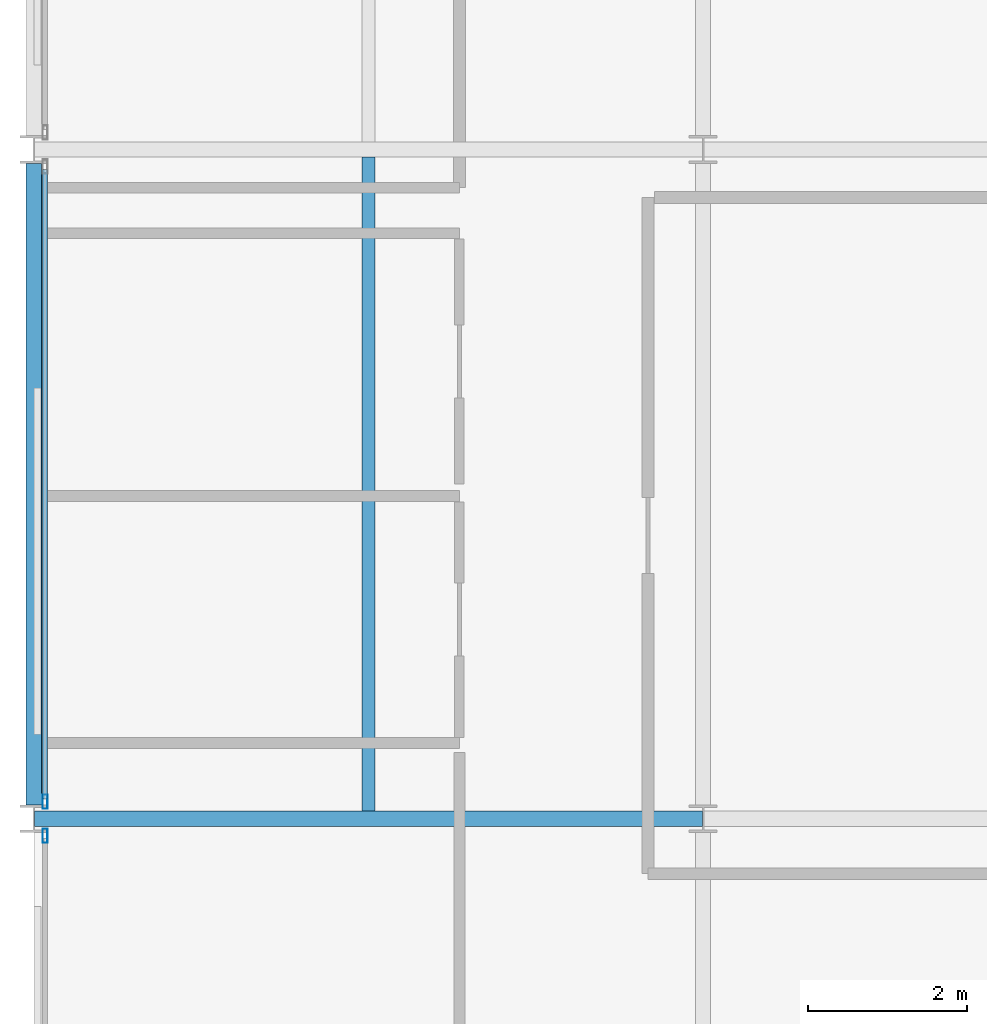
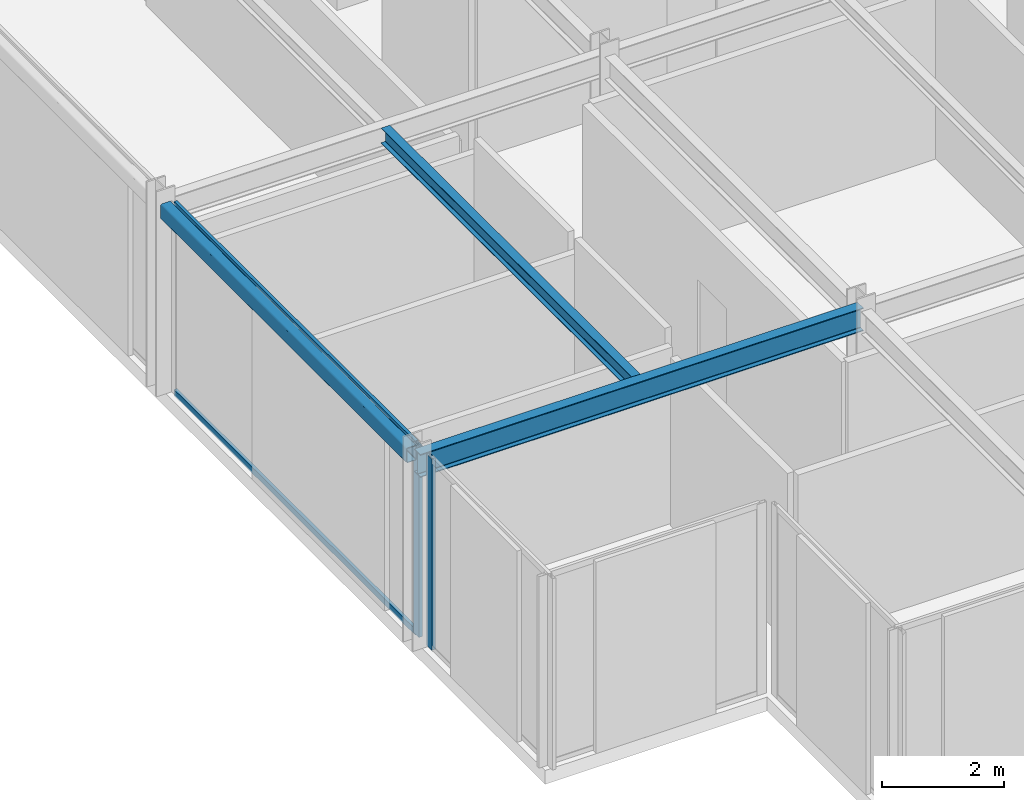
# One storey, part 4 of 25: 4 members, 3 beams, 2 elements without a shape of their own.
"""IFC4 building model written with IfcOpenShell, lengths in metres."""

from ifc_helpers import new_model, si_unit, direction, frame, origin, origin_2d, place, context, subcontext, project, spatial, hollow_rectangle, i_section, extrude, material, layer, layer_set, material_profile, profile_set, type_object, element, aggregate, save


model = new_model("IFC4")

# Units and contexts
model_context = context("Model", 3, precision=1e-05, world=origin(), true_north=direction((0.0, 1.0)))
body_context = subcontext(model_context, "Body", "Model", "MODEL_VIEW")
ifc_project = project(units=[si_unit("LENGTHUNIT", "METRE"), si_unit("AREAUNIT", "SQUARE_METRE"), si_unit("VOLUMEUNIT", "CUBIC_METRE"), si_unit("PLANEANGLEUNIT", "RADIAN"), si_unit("MASSUNIT", "GRAM", prefix="KILO")], contexts=[model_context])

# Site, building, storey
site_placement = place(None, origin())
site = spatial("IfcSite", under=ifc_project, at=site_placement, CompositionType="ELEMENT")
building_placement = place(site_placement, origin())
building = spatial("IfcBuilding", under=site, at=building_placement, Name="Nerrivon Quay Data Exchange", CompositionType="ELEMENT")
storey_placement = place(building_placement, frame((0.0, 0.0, 232.89990234375)))
storey = spatial("IfcBuildingStorey", under=building, at=storey_placement, Name="L55", CompositionType="ELEMENT", Elevation=232.89990234375)

# Beams
ifc_material_1 = material(Name="Steel Grade 350", Category="steel")
ifc_material_profile_1 = material_profile(ifc_material_1, i_section(OverallWidth=0.19091796875, OverallDepth=0.4599609375, WebThickness=0.010009765625, FlangeThickness=0.01611328125, FilletRadius=0.011474609375, at=origin_2d()), Name="460UB82.1")
ifc_profile_set_1 = profile_set([ifc_material_profile_1], Name="Steel Grade 350")
beam_type_1 = type_object("IfcBeamType", Name="BM-G5-460UB82", PredefinedType="BEAM", material=ifc_profile_set_1)
beam_1_placement = place(storey_placement, frame((0.010009765625, 8.39990234375, 3.59521484375), z_axis=(1.0, 0.0, 0.0), x_axis=(0.0, 1.0, 0.0)))
element("IfcBeam", 1, at=beam_1_placement, inside=storey, type_object=beam_type_1, Name="L55 EW Girder Y=8.4 (0.0..8.4)", PredefinedType="BEAM", context=body_context, shape_type="SweptSolid", body=[
    extrude(i_section(OverallWidth=0.19091796875, OverallDepth=0.4599609375, WebThickness=0.010009765625, FlangeThickness=0.01611328125, FilletRadius=0.011474609375, at=origin_2d()), origin(), (0.0, 0.0, 1.0), 8.3798828125),
])
ifc_material_profile_2 = material_profile(ifc_material_1, i_section(OverallWidth=0.166015625, OverallDepth=0.306884765625, WebThickness=0.006591796875, FlangeThickness=0.01171875, FilletRadius=0.011474609375, at=origin_2d()), Name="310UB46.2")
ifc_profile_set_2 = profile_set([ifc_material_profile_2], Name="Steel Grade 350")
beam_type_2 = type_object("IfcBeamType", Name="BM-J5-310UB46", PredefinedType="JOIST", material=ifc_profile_set_2)
beam_2_placement = place(storey_placement, frame((4.199951171875, 8.49560546875, 3.671630859375), z_axis=(0.0, 1.0, 0.0), x_axis=(-1.0, 0.0, 0.0)))
element("IfcBeam", 2, at=beam_2_placement, inside=storey, type_object=beam_type_2, Name="L55 Secondary Joist X=4.2 (8.4..16.8)", PredefinedType="JOIST", context=body_context, shape_type="SweptSolid", body=[
    extrude(i_section(OverallWidth=0.166015625, OverallDepth=0.306884765625, WebThickness=0.006591796875, FlangeThickness=0.01171875, FilletRadius=0.011474609375, at=origin_2d()), origin(), (0.0, 0.0, 1.0), 8.208984375),
])
ifc_material_2 = material(Name="Steel Grade C350L0 (350 MPa)", Category="steel")
ifc_material_profile_3 = material_profile(ifc_material_2, hollow_rectangle(XDim=0.199951171875, YDim=0.300048828125, WallThickness=0.012451171875, InnerFilletRadius=0.018798828125, OuterFilletRadius=0.03125, at=origin_2d()), Name="300x200x12.5RHS")
ifc_profile_set_3 = profile_set([ifc_material_profile_3], Name="Steel Grade C350L0 (350 MPa)")
beam_type_3 = type_object("IfcBeamType", Name="BM-SP3-300x200RHS", PredefinedType="SPANDREL", material=ifc_profile_set_3)
beam_3_placement = place(storey_placement, frame((0.0, 8.574951171875, 3.675048828125), z_axis=(0.0, 1.0, 0.0), x_axis=(-1.0, 0.0, 0.0)))
element("IfcBeam", 3, at=beam_3_placement, inside=storey, type_object=beam_type_3, Name="L55 NS Girder X=0.0 (8.4..16.8)", PredefinedType="SPANDREL", context=body_context, shape_type="SweptSolid", body=[
    extrude(hollow_rectangle(XDim=0.199951171875, YDim=0.300048828125, WallThickness=0.012451171875, InnerFilletRadius=0.018798828125, OuterFilletRadius=0.03125, at=origin_2d()), origin(), (0.0, 0.0, 1.0), 8.050048828125),
])

# Curtain wall, member
ifc_material_3 = material(Name="Anodised aluminium 6063-T6", Category="aluminium")
ifc_layer = layer(ifc_material_3, 0.195068359375)
ifc_layer_set = layer_set([ifc_layer], Name="Anodised aluminium 6063-T6")
curtain_wall_type = type_object("IfcCurtainWallType", Name="CW-SYS-06", PredefinedType="NOTDEFINED", material=ifc_layer_set)
curtain_wall_1_placement = place(storey_placement, origin())
curtain_wall_1 = element("IfcCurtainWall", 4, at=curtain_wall_1_placement, inside=storey, type_object=curtain_wall_type, Name="L55 Unitised Curtain Wall 11", PredefinedType="NOTDEFINED")
ifc_material_profile_4 = material_profile(ifc_material_3, hollow_rectangle(XDim=0.06494140625, YDim=0.179931640625, WallThickness=0.00341796875, at=origin_2d()), Name="ALU-MULL-180x65")
ifc_profile_set_4 = profile_set([ifc_material_profile_4], Name="Anodised aluminium 6063-T6")
member_type_1 = type_object("IfcMemberType", Name="CWM-180x65", PredefinedType="MULLION", material=ifc_profile_set_4)
member_1_placement = place(storey_placement, frame((0.139892578125, 8.1875, 0.0), z_axis=(0.0, 0.0, 1.0), x_axis=(-1.0, 0.0, 0.0)))
member_1 = element("IfcMember", 5, at=member_1_placement, type_object=member_type_1, Name="CW06 mullion 2", PredefinedType="MULLION", context=body_context, shape_type="SweptSolid", body=[
    extrude(hollow_rectangle(XDim=0.06494140625, YDim=0.179931640625, WallThickness=0.00341796875, at=origin_2d()), origin(), (0.0, 0.0, 1.0), 3.8251953125),
])
aggregate(curtain_wall_1, [member_1])

# Curtain wall, members
curtain_wall_2_placement = place(storey_placement, origin())
curtain_wall_2 = element("IfcCurtainWall", 6, at=curtain_wall_2_placement, inside=storey, type_object=curtain_wall_type, Name="L55 Unitised Curtain Wall 12", PredefinedType="NOTDEFINED")
member_2_placement = place(storey_placement, frame((0.139892578125, 8.612548828125, 0.0), z_axis=(0.0, 0.0, 1.0), x_axis=(-1.0, 0.0, 0.0)))
member_2 = element("IfcMember", 7, at=member_2_placement, type_object=member_type_1, Name="CW06 mullion 1", PredefinedType="MULLION", context=body_context, shape_type="SweptSolid", body=[
    extrude(hollow_rectangle(XDim=0.06494140625, YDim=0.179931640625, WallThickness=0.00341796875, at=origin_2d()), origin(), (0.0, 0.0, 1.0), 3.8251953125),
])
ifc_material_profile_5 = material_profile(ifc_material_3, hollow_rectangle(XDim=0.06005859375, YDim=0.1201171875, WallThickness=0.003173828125, at=origin_2d()), Name="ALU-TRAN-120x60")
ifc_profile_set_5 = profile_set([ifc_material_profile_5], Name="Anodised aluminium 6063-T6")
member_type_2 = type_object("IfcMemberType", Name="CWT-120x60", PredefinedType="USERDEFINED", material=ifc_profile_set_5)
member_3_placement = place(storey_placement, frame((0.139892578125, 8.64990234375, 0.03271484375), z_axis=(0.0, 1.0, 0.0), x_axis=(-1.0, 0.0, 0.0)))
member_3 = element("IfcMember", 8, at=member_3_placement, type_object=member_type_2, Name="CW06 transom 1.1", ObjectType="TRANSOM", PredefinedType="USERDEFINED", context=body_context, shape_type="SweptSolid", body=[
    extrude(hollow_rectangle(XDim=0.06005859375, YDim=0.1201171875, WallThickness=0.003173828125, at=origin_2d()), origin(), (0.0, 0.0, 1.0), 7.900146484375),
])
member_4_placement = place(storey_placement, frame((0.139892578125, 8.64990234375, 3.79248046875), z_axis=(0.0, 1.0, 0.0), x_axis=(-1.0, 0.0, 0.0)))
member_4 = element("IfcMember", 9, at=member_4_placement, type_object=member_type_2, Name="CW06 transom 1.2", ObjectType="TRANSOM", PredefinedType="USERDEFINED", context=body_context, shape_type="SweptSolid", body=[
    extrude(hollow_rectangle(XDim=0.06005859375, YDim=0.1201171875, WallThickness=0.003173828125, at=origin_2d()), origin(), (0.0, 0.0, 1.0), 7.900146484375),
])
aggregate(curtain_wall_2, [member_2, member_3, member_4])

save(model, "model.ifc")
